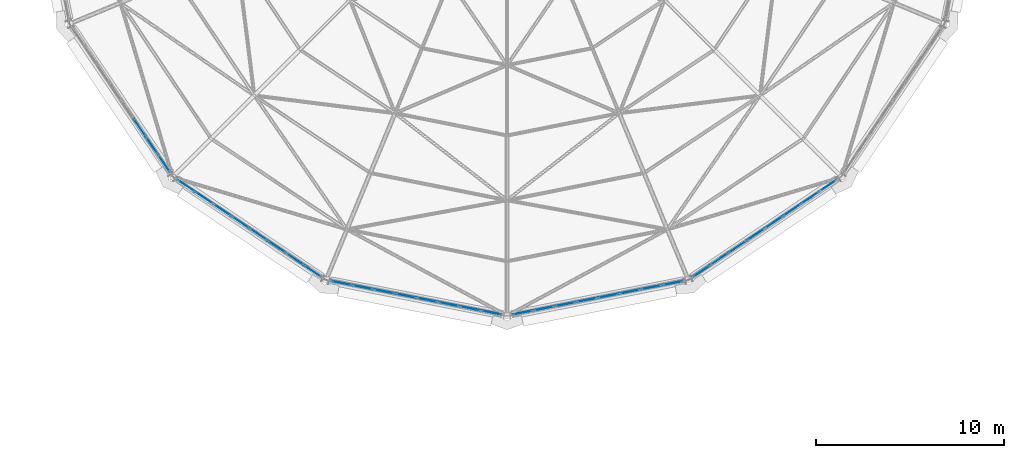
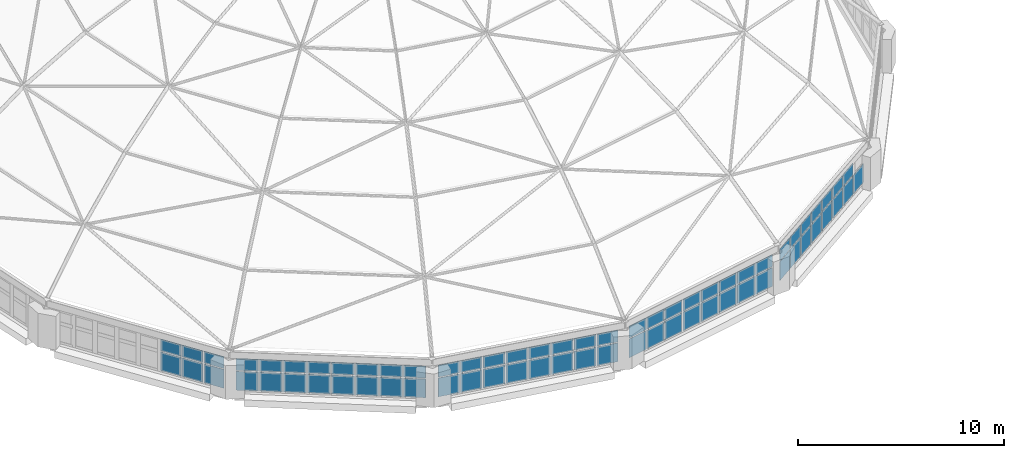
# One storey, part 40 of 68: 69 plates, 5 elements without a shape of their own.
"""IFC4 building model written with IfcOpenShell, lengths in metres."""

from ifc_helpers import new_model, si_unit, direction, frame, origin, origin_2d, place, context, subcontext, project, spatial, rectangle, extrude, material, layer, layer_set, type_object, element, aggregate, save


model = new_model("IFC4")

# Units and contexts
model_context = context("Model", 3, precision=1e-05, world=origin(), true_north=direction((0.0, 1.0)))
body_context = subcontext(model_context, "Body", "Model", "MODEL_VIEW")
ifc_project = project(units=[si_unit("LENGTHUNIT", "METRE"), si_unit("AREAUNIT", "SQUARE_METRE"), si_unit("VOLUMEUNIT", "CUBIC_METRE"), si_unit("PLANEANGLEUNIT", "RADIAN"), si_unit("MASSUNIT", "GRAM", prefix="KILO")], contexts=[model_context])

# Site, building, storey
site_placement = place(None, origin())
site = spatial("IfcSite", under=ifc_project, at=site_placement, CompositionType="ELEMENT")
building_placement = place(site_placement, origin())
building = spatial("IfcBuilding", under=site, at=building_placement, Name="Kupolbacken Congress Centre", CompositionType="ELEMENT")
storey_placement = place(building_placement, frame((0.0, 0.0, 25.199951171875)))
storey = spatial("IfcBuildingStorey", under=building, at=storey_placement, Name="L07", CompositionType="ELEMENT", Elevation=25.199951171875)

# Curtain wall, plates
ifc_material_1 = material(Name="Aluminium mullion-transom frame with glass", Category="aluminium")
curtain_wall_type = type_object("IfcCurtainWallType", Name="CW3 curtain wall 9830x3600", PredefinedType="NOTDEFINED", material=ifc_material_1)
curtain_wall_1_placement = place(storey_placement, origin())
curtain_wall_1 = element("IfcCurtainWall", 1, at=curtain_wall_1_placement, inside=storey, type_object=curtain_wall_type, Name="E/P/drum/cw/L07/01", PredefinedType="NOTDEFINED")
ifc_material_2 = material(Name="Glass", Category="glass")
ifc_layer = layer(ifc_material_2, 0.028076171875)
ifc_layer_set = layer_set([ifc_layer], Name="Glass")
plate_type = type_object("IfcPlateType", Name="GL1 glass panel 28", PredefinedType="CURTAIN_PANEL", material=ifc_layer_set)
plate_1_placement = place(storey_placement, frame((23.62890625, 71.224609375, 0.4599609375), z_axis=(0.0, 0.0, 1.0), x_axis=(0.559385512775, -0.82890762338, 0.0)))
plate_1 = element("IfcPlate", 2, at=plate_1_placement, type_object=plate_type, Name="CW3 panel 6.1", PredefinedType="CURTAIN_PANEL", context=body_context, shape_type="SweptSolid", body=[
    extrude(rectangle(XDim=1.1064453125, YDim=0.028076171875, at=origin_2d()), origin(), (0.0, 0.0, 1.0), 1.110107421875),
])
plate_2_placement = place(storey_placement, frame((23.62890625, 71.224609375, 1.6298828125), z_axis=(0.0, 0.0, 1.0), x_axis=(0.559385512775, -0.82890762338, 0.0)))
plate_2 = element("IfcPlate", 3, at=plate_2_placement, type_object=plate_type, Name="CW3 panel 6.2", PredefinedType="CURTAIN_PANEL", context=body_context, shape_type="SweptSolid", body=[
    extrude(rectangle(XDim=1.1064453125, YDim=0.028076171875, at=origin_2d()), origin(), (0.0, 0.0, 1.0), 0.699951171875),
])
plate_3_placement = place(storey_placement, frame((24.28125, 70.257568359375, 0.4599609375), z_axis=(0.0, 0.0, 1.0), x_axis=(0.559385512775, -0.82890762338, 0.0)))
plate_3 = element("IfcPlate", 4, at=plate_3_placement, type_object=plate_type, Name="CW3 panel 7.1", PredefinedType="CURTAIN_PANEL", context=body_context, shape_type="SweptSolid", body=[
    extrude(rectangle(XDim=1.1064453125, YDim=0.028076171875, at=origin_2d()), origin(), (0.0, 0.0, 1.0), 1.110107421875),
])
plate_4_placement = place(storey_placement, frame((24.28125, 70.257568359375, 1.6298828125), z_axis=(0.0, 0.0, 1.0), x_axis=(0.559385512775, -0.82890762338, 0.0)))
plate_4 = element("IfcPlate", 5, at=plate_4_placement, type_object=plate_type, Name="CW3 panel 7.2", PredefinedType="CURTAIN_PANEL", context=body_context, shape_type="SweptSolid", body=[
    extrude(rectangle(XDim=1.1064453125, YDim=0.028076171875, at=origin_2d()), origin(), (0.0, 0.0, 1.0), 0.699951171875),
])
plate_5_placement = place(storey_placement, frame((24.925537109375, 69.30322265625, 0.4599609375), z_axis=(0.0, 0.0, 1.0), x_axis=(0.559385512775, -0.82890762338, 0.0)))
plate_5 = element("IfcPlate", 6, at=plate_5_placement, type_object=plate_type, Name="CW3 panel 8.1", PredefinedType="CURTAIN_PANEL", context=body_context, shape_type="SweptSolid", body=[
    extrude(rectangle(XDim=1.076416015625, YDim=0.028076171875, at=origin_2d()), origin(), (0.0, 0.0, 1.0), 1.110107421875),
])
plate_6_placement = place(storey_placement, frame((24.925537109375, 69.30322265625, 1.6298828125), z_axis=(0.0, 0.0, 1.0), x_axis=(0.559385512775, -0.82890762338, 0.0)))
plate_6 = element("IfcPlate", 7, at=plate_6_placement, type_object=plate_type, Name="CW3 panel 8.2", PredefinedType="CURTAIN_PANEL", context=body_context, shape_type="SweptSolid", body=[
    extrude(rectangle(XDim=1.076416015625, YDim=0.028076171875, at=origin_2d()), origin(), (0.0, 0.0, 1.0), 0.699951171875),
])
aggregate(curtain_wall_1, [plate_1, plate_2, plate_3, plate_4, plate_5, plate_6])

curtain_wall_2_placement = place(storey_placement, origin())
curtain_wall_2 = element("IfcCurtainWall", 8, at=curtain_wall_2_placement, inside=storey, type_object=curtain_wall_type, Name="E/P/drum/cw/L07/02", PredefinedType="NOTDEFINED")
plate_7_placement = place(storey_placement, frame((26.10302734375, 68.12548828125, 0.4599609375), z_axis=(0.0, 0.0, 1.0), x_axis=(0.82890762338, -0.559385512775, 0.0)))
plate_7 = element("IfcPlate", 9, at=plate_7_placement, type_object=plate_type, Name="CW3 panel 1.1", PredefinedType="CURTAIN_PANEL", context=body_context, shape_type="SweptSolid", body=[
    extrude(rectangle(XDim=1.076416015625, YDim=0.028076171875, at=origin_2d()), origin(), (0.0, 0.0, 1.0), 1.110107421875),
])
plate_8_placement = place(storey_placement, frame((26.10302734375, 68.12548828125, 1.6298828125), z_axis=(0.0, 0.0, 1.0), x_axis=(0.82890762338, -0.559385512775, 0.0)))
plate_8 = element("IfcPlate", 10, at=plate_8_placement, type_object=plate_type, Name="CW3 panel 1.2", PredefinedType="CURTAIN_PANEL", context=body_context, shape_type="SweptSolid", body=[
    extrude(rectangle(XDim=1.076416015625, YDim=0.028076171875, at=origin_2d()), origin(), (0.0, 0.0, 1.0), 0.699951171875),
])
plate_9_placement = place(storey_placement, frame((27.0576171875, 67.4814453125, 0.4599609375), z_axis=(0.0, 0.0, 1.0), x_axis=(0.82890762338, -0.559385512775, 0.0)))
plate_9 = element("IfcPlate", 11, at=plate_9_placement, type_object=plate_type, Name="CW3 panel 2.1", PredefinedType="CURTAIN_PANEL", context=body_context, shape_type="SweptSolid", body=[
    extrude(rectangle(XDim=1.1064453125, YDim=0.028076171875, at=origin_2d()), origin(), (0.0, 0.0, 1.0), 1.110107421875),
])
plate_10_placement = place(storey_placement, frame((27.0576171875, 67.4814453125, 1.6298828125), z_axis=(0.0, 0.0, 1.0), x_axis=(0.82890762338, -0.559385512775, 0.0)))
plate_10 = element("IfcPlate", 12, at=plate_10_placement, type_object=plate_type, Name="CW3 panel 2.2", PredefinedType="CURTAIN_PANEL", context=body_context, shape_type="SweptSolid", body=[
    extrude(rectangle(XDim=1.1064453125, YDim=0.028076171875, at=origin_2d()), origin(), (0.0, 0.0, 1.0), 0.699951171875),
])
plate_11_placement = place(storey_placement, frame((28.024658203125, 66.828857421875, 0.4599609375), z_axis=(0.0, 0.0, 1.0), x_axis=(0.82890762338, -0.559385512775, 0.0)))
plate_11 = element("IfcPlate", 13, at=plate_11_placement, type_object=plate_type, Name="CW3 panel 3.1", PredefinedType="CURTAIN_PANEL", context=body_context, shape_type="SweptSolid", body=[
    extrude(rectangle(XDim=1.1064453125, YDim=0.028076171875, at=origin_2d()), origin(), (0.0, 0.0, 1.0), 1.110107421875),
])
plate_12_placement = place(storey_placement, frame((28.024658203125, 66.828857421875, 1.6298828125), z_axis=(0.0, 0.0, 1.0), x_axis=(0.82890762338, -0.559385512775, 0.0)))
plate_12 = element("IfcPlate", 14, at=plate_12_placement, type_object=plate_type, Name="CW3 panel 3.2", PredefinedType="CURTAIN_PANEL", context=body_context, shape_type="SweptSolid", body=[
    extrude(rectangle(XDim=1.1064453125, YDim=0.028076171875, at=origin_2d()), origin(), (0.0, 0.0, 1.0), 0.699951171875),
])
plate_13_placement = place(storey_placement, frame((28.991455078125, 66.17626953125, 0.4599609375), z_axis=(0.0, 0.0, 1.0), x_axis=(0.82890762338, -0.559385512775, 0.0)))
plate_13 = element("IfcPlate", 15, at=plate_13_placement, type_object=plate_type, Name="CW3 panel 4.1", PredefinedType="CURTAIN_PANEL", context=body_context, shape_type="SweptSolid", body=[
    extrude(rectangle(XDim=1.1064453125, YDim=0.028076171875, at=origin_2d()), origin(), (0.0, 0.0, 1.0), 1.110107421875),
])
plate_14_placement = place(storey_placement, frame((28.991455078125, 66.17626953125, 1.6298828125), z_axis=(0.0, 0.0, 1.0), x_axis=(0.82890762338, -0.559385512775, 0.0)))
plate_14 = element("IfcPlate", 16, at=plate_14_placement, type_object=plate_type, Name="CW3 panel 4.2", PredefinedType="CURTAIN_PANEL", context=body_context, shape_type="SweptSolid", body=[
    extrude(rectangle(XDim=1.1064453125, YDim=0.028076171875, at=origin_2d()), origin(), (0.0, 0.0, 1.0), 0.699951171875),
])
plate_15_placement = place(storey_placement, frame((29.95849609375, 65.523681640625, 0.4599609375), z_axis=(0.0, 0.0, 1.0), x_axis=(0.82890762338, -0.559385512775, 0.0)))
plate_15 = element("IfcPlate", 17, at=plate_15_placement, type_object=plate_type, Name="CW3 panel 5.1", PredefinedType="CURTAIN_PANEL", context=body_context, shape_type="SweptSolid", body=[
    extrude(rectangle(XDim=1.1064453125, YDim=0.028076171875, at=origin_2d()), origin(), (0.0, 0.0, 1.0), 1.110107421875),
])
plate_16_placement = place(storey_placement, frame((29.95849609375, 65.523681640625, 1.6298828125), z_axis=(0.0, 0.0, 1.0), x_axis=(0.82890762338, -0.559385512775, 0.0)))
plate_16 = element("IfcPlate", 18, at=plate_16_placement, type_object=plate_type, Name="CW3 panel 5.2", PredefinedType="CURTAIN_PANEL", context=body_context, shape_type="SweptSolid", body=[
    extrude(rectangle(XDim=1.1064453125, YDim=0.028076171875, at=origin_2d()), origin(), (0.0, 0.0, 1.0), 0.699951171875),
])
plate_17_placement = place(storey_placement, frame((30.92529296875, 64.87109375, 0.4599609375), z_axis=(0.0, 0.0, 1.0), x_axis=(0.82890762338, -0.559385512775, 0.0)))
plate_17 = element("IfcPlate", 19, at=plate_17_placement, type_object=plate_type, Name="CW3 panel 6.1", PredefinedType="CURTAIN_PANEL", context=body_context, shape_type="SweptSolid", body=[
    extrude(rectangle(XDim=1.1064453125, YDim=0.028076171875, at=origin_2d()), origin(), (0.0, 0.0, 1.0), 1.110107421875),
])
plate_18_placement = place(storey_placement, frame((30.92529296875, 64.87109375, 1.6298828125), z_axis=(0.0, 0.0, 1.0), x_axis=(0.82890762338, -0.559385512775, 0.0)))
plate_18 = element("IfcPlate", 20, at=plate_18_placement, type_object=plate_type, Name="CW3 panel 6.2", PredefinedType="CURTAIN_PANEL", context=body_context, shape_type="SweptSolid", body=[
    extrude(rectangle(XDim=1.1064453125, YDim=0.028076171875, at=origin_2d()), origin(), (0.0, 0.0, 1.0), 0.699951171875),
])
plate_19_placement = place(storey_placement, frame((31.892333984375, 64.21875, 0.4599609375), z_axis=(0.0, 0.0, 1.0), x_axis=(0.82890762338, -0.559385512775, 0.0)))
plate_19 = element("IfcPlate", 21, at=plate_19_placement, type_object=plate_type, Name="CW3 panel 7.1", PredefinedType="CURTAIN_PANEL", context=body_context, shape_type="SweptSolid", body=[
    extrude(rectangle(XDim=1.1064453125, YDim=0.028076171875, at=origin_2d()), origin(), (0.0, 0.0, 1.0), 1.110107421875),
])
plate_20_placement = place(storey_placement, frame((31.892333984375, 64.21875, 1.6298828125), z_axis=(0.0, 0.0, 1.0), x_axis=(0.82890762338, -0.559385512775, 0.0)))
plate_20 = element("IfcPlate", 22, at=plate_20_placement, type_object=plate_type, Name="CW3 panel 7.2", PredefinedType="CURTAIN_PANEL", context=body_context, shape_type="SweptSolid", body=[
    extrude(rectangle(XDim=1.1064453125, YDim=0.028076171875, at=origin_2d()), origin(), (0.0, 0.0, 1.0), 0.699951171875),
])
plate_21_placement = place(storey_placement, frame((32.846923828125, 63.574462890625, 0.4599609375), z_axis=(0.0, 0.0, 1.0), x_axis=(0.82890762338, -0.559385512775, 0.0)))
plate_21 = element("IfcPlate", 23, at=plate_21_placement, type_object=plate_type, Name="CW3 panel 8.1", PredefinedType="CURTAIN_PANEL", context=body_context, shape_type="SweptSolid", body=[
    extrude(rectangle(XDim=1.076416015625, YDim=0.028076171875, at=origin_2d()), origin(), (0.0, 0.0, 1.0), 1.110107421875),
])
plate_22_placement = place(storey_placement, frame((32.846923828125, 63.574462890625, 1.6298828125), z_axis=(0.0, 0.0, 1.0), x_axis=(0.82890762338, -0.559385512775, 0.0)))
plate_22 = element("IfcPlate", 24, at=plate_22_placement, type_object=plate_type, Name="CW3 panel 8.2", PredefinedType="CURTAIN_PANEL", context=body_context, shape_type="SweptSolid", body=[
    extrude(rectangle(XDim=1.076416015625, YDim=0.028076171875, at=origin_2d()), origin(), (0.0, 0.0, 1.0), 0.699951171875),
])
aggregate(curtain_wall_2, [plate_7, plate_8, plate_9, plate_10, plate_11, plate_12, plate_13, plate_14, plate_15, plate_16, plate_17, plate_18, plate_19, plate_20, plate_21, plate_22])

curtain_wall_3_placement = place(storey_placement, origin())
curtain_wall_3 = element("IfcCurtainWall", 25, at=curtain_wall_3_placement, inside=storey, type_object=curtain_wall_type, Name="E/P/drum/cw/L07/03", PredefinedType="NOTDEFINED")
plate_23_placement = place(storey_placement, frame((34.382568359375, 62.93603515625, 0.4599609375), z_axis=(0.0, 0.0, 1.0), x_axis=(0.981162875481, -0.193182327812, 0.0)))
plate_23 = element("IfcPlate", 26, at=plate_23_placement, type_object=plate_type, Name="CW3 panel 1.1", PredefinedType="CURTAIN_PANEL", context=body_context, shape_type="SweptSolid", body=[
    extrude(rectangle(XDim=1.076904296875, YDim=0.028076171875, at=origin_2d()), origin(), (0.0, 0.0, 1.0), 1.110107421875),
])
plate_24_placement = place(storey_placement, frame((34.382568359375, 62.93603515625, 1.6298828125), z_axis=(0.0, 0.0, 1.0), x_axis=(0.981162875481, -0.193182327812, 0.0)))
plate_24 = element("IfcPlate", 27, at=plate_24_placement, type_object=plate_type, Name="CW3 panel 1.2", PredefinedType="CURTAIN_PANEL", context=body_context, shape_type="SweptSolid", body=[
    extrude(rectangle(XDim=1.076904296875, YDim=0.028076171875, at=origin_2d()), origin(), (0.0, 0.0, 1.0), 0.699951171875),
])
plate_25_placement = place(storey_placement, frame((35.5126953125, 62.713623046875, 0.4599609375), z_axis=(0.0, 0.0, 1.0), x_axis=(0.981162875481, -0.193182327812, 0.0)))
plate_25 = element("IfcPlate", 28, at=plate_25_placement, type_object=plate_type, Name="CW3 panel 2.1", PredefinedType="CURTAIN_PANEL", context=body_context, shape_type="SweptSolid", body=[
    extrude(rectangle(XDim=1.10693359375, YDim=0.028076171875, at=origin_2d()), origin(), (0.0, 0.0, 1.0), 1.110107421875),
])
plate_26_placement = place(storey_placement, frame((35.5126953125, 62.713623046875, 1.6298828125), z_axis=(0.0, 0.0, 1.0), x_axis=(0.981162875481, -0.193182327812, 0.0)))
plate_26 = element("IfcPlate", 29, at=plate_26_placement, type_object=plate_type, Name="CW3 panel 2.2", PredefinedType="CURTAIN_PANEL", context=body_context, shape_type="SweptSolid", body=[
    extrude(rectangle(XDim=1.10693359375, YDim=0.028076171875, at=origin_2d()), origin(), (0.0, 0.0, 1.0), 0.699951171875),
])
plate_27_placement = place(storey_placement, frame((36.65771484375, 62.488037109375, 0.4599609375), z_axis=(0.0, 0.0, 1.0), x_axis=(0.981162875481, -0.193182327812, 0.0)))
plate_27 = element("IfcPlate", 30, at=plate_27_placement, type_object=plate_type, Name="CW3 panel 3.1", PredefinedType="CURTAIN_PANEL", context=body_context, shape_type="SweptSolid", body=[
    extrude(rectangle(XDim=1.10693359375, YDim=0.028076171875, at=origin_2d()), origin(), (0.0, 0.0, 1.0), 1.110107421875),
])
plate_28_placement = place(storey_placement, frame((36.65771484375, 62.488037109375, 1.6298828125), z_axis=(0.0, 0.0, 1.0), x_axis=(0.981162875481, -0.193182327812, 0.0)))
plate_28 = element("IfcPlate", 31, at=plate_28_placement, type_object=plate_type, Name="CW3 panel 3.2", PredefinedType="CURTAIN_PANEL", context=body_context, shape_type="SweptSolid", body=[
    extrude(rectangle(XDim=1.10693359375, YDim=0.028076171875, at=origin_2d()), origin(), (0.0, 0.0, 1.0), 0.699951171875),
])
plate_29_placement = place(storey_placement, frame((37.802490234375, 62.2626953125, 0.4599609375), z_axis=(0.0, 0.0, 1.0), x_axis=(0.981162875481, -0.193182327812, 0.0)))
plate_29 = element("IfcPlate", 32, at=plate_29_placement, type_object=plate_type, Name="CW3 panel 4.1", PredefinedType="CURTAIN_PANEL", context=body_context, shape_type="SweptSolid", body=[
    extrude(rectangle(XDim=1.10693359375, YDim=0.028076171875, at=origin_2d()), origin(), (0.0, 0.0, 1.0), 1.110107421875),
])
plate_30_placement = place(storey_placement, frame((37.802490234375, 62.2626953125, 1.6298828125), z_axis=(0.0, 0.0, 1.0), x_axis=(0.981162875481, -0.193182327812, 0.0)))
plate_30 = element("IfcPlate", 33, at=plate_30_placement, type_object=plate_type, Name="CW3 panel 4.2", PredefinedType="CURTAIN_PANEL", context=body_context, shape_type="SweptSolid", body=[
    extrude(rectangle(XDim=1.10693359375, YDim=0.028076171875, at=origin_2d()), origin(), (0.0, 0.0, 1.0), 0.699951171875),
])
plate_31_placement = place(storey_placement, frame((38.947509765625, 62.037353515625, 0.4599609375), z_axis=(0.0, 0.0, 1.0), x_axis=(0.981162875481, -0.193182327812, 0.0)))
plate_31 = element("IfcPlate", 34, at=plate_31_placement, type_object=plate_type, Name="CW3 panel 5.1", PredefinedType="CURTAIN_PANEL", context=body_context, shape_type="SweptSolid", body=[
    extrude(rectangle(XDim=1.10693359375, YDim=0.028076171875, at=origin_2d()), origin(), (0.0, 0.0, 1.0), 1.110107421875),
])
plate_32_placement = place(storey_placement, frame((38.947509765625, 62.037353515625, 1.6298828125), z_axis=(0.0, 0.0, 1.0), x_axis=(0.981162875481, -0.193182327812, 0.0)))
plate_32 = element("IfcPlate", 35, at=plate_32_placement, type_object=plate_type, Name="CW3 panel 5.2", PredefinedType="CURTAIN_PANEL", context=body_context, shape_type="SweptSolid", body=[
    extrude(rectangle(XDim=1.10693359375, YDim=0.028076171875, at=origin_2d()), origin(), (0.0, 0.0, 1.0), 0.699951171875),
])
plate_33_placement = place(storey_placement, frame((40.09228515625, 61.811767578125, 0.4599609375), z_axis=(0.0, 0.0, 1.0), x_axis=(0.981162875481, -0.193182327812, 0.0)))
plate_33 = element("IfcPlate", 36, at=plate_33_placement, type_object=plate_type, Name="CW3 panel 6.1", PredefinedType="CURTAIN_PANEL", context=body_context, shape_type="SweptSolid", body=[
    extrude(rectangle(XDim=1.10693359375, YDim=0.028076171875, at=origin_2d()), origin(), (0.0, 0.0, 1.0), 1.110107421875),
])
plate_34_placement = place(storey_placement, frame((40.09228515625, 61.811767578125, 1.6298828125), z_axis=(0.0, 0.0, 1.0), x_axis=(0.981162875481, -0.193182327812, 0.0)))
plate_34 = element("IfcPlate", 37, at=plate_34_placement, type_object=plate_type, Name="CW3 panel 6.2", PredefinedType="CURTAIN_PANEL", context=body_context, shape_type="SweptSolid", body=[
    extrude(rectangle(XDim=1.10693359375, YDim=0.028076171875, at=origin_2d()), origin(), (0.0, 0.0, 1.0), 0.699951171875),
])
plate_35_placement = place(storey_placement, frame((41.2373046875, 61.58642578125, 0.4599609375), z_axis=(0.0, 0.0, 1.0), x_axis=(0.981162875481, -0.193182327812, 0.0)))
plate_35 = element("IfcPlate", 38, at=plate_35_placement, type_object=plate_type, Name="CW3 panel 7.1", PredefinedType="CURTAIN_PANEL", context=body_context, shape_type="SweptSolid", body=[
    extrude(rectangle(XDim=1.10693359375, YDim=0.028076171875, at=origin_2d()), origin(), (0.0, 0.0, 1.0), 1.110107421875),
])
plate_36_placement = place(storey_placement, frame((41.2373046875, 61.58642578125, 1.6298828125), z_axis=(0.0, 0.0, 1.0), x_axis=(0.981162875481, -0.193182327812, 0.0)))
plate_36 = element("IfcPlate", 39, at=plate_36_placement, type_object=plate_type, Name="CW3 panel 7.2", PredefinedType="CURTAIN_PANEL", context=body_context, shape_type="SweptSolid", body=[
    extrude(rectangle(XDim=1.10693359375, YDim=0.028076171875, at=origin_2d()), origin(), (0.0, 0.0, 1.0), 0.699951171875),
])
plate_37_placement = place(storey_placement, frame((42.367431640625, 61.364013671875, 0.4599609375), z_axis=(0.0, 0.0, 1.0), x_axis=(0.981162875481, -0.193182327812, 0.0)))
plate_37 = element("IfcPlate", 40, at=plate_37_placement, type_object=plate_type, Name="CW3 panel 8.1", PredefinedType="CURTAIN_PANEL", context=body_context, shape_type="SweptSolid", body=[
    extrude(rectangle(XDim=1.076904296875, YDim=0.028076171875, at=origin_2d()), origin(), (0.0, 0.0, 1.0), 1.110107421875),
])
plate_38_placement = place(storey_placement, frame((42.367431640625, 61.364013671875, 1.6298828125), z_axis=(0.0, 0.0, 1.0), x_axis=(0.981162875481, -0.193182327812, 0.0)))
plate_38 = element("IfcPlate", 41, at=plate_38_placement, type_object=plate_type, Name="CW3 panel 8.2", PredefinedType="CURTAIN_PANEL", context=body_context, shape_type="SweptSolid", body=[
    extrude(rectangle(XDim=1.076904296875, YDim=0.028076171875, at=origin_2d()), origin(), (0.0, 0.0, 1.0), 0.699951171875),
])
aggregate(curtain_wall_3, [plate_23, plate_24, plate_25, plate_26, plate_27, plate_28, plate_29, plate_30, plate_31, plate_32, plate_33, plate_34, plate_35, plate_36, plate_37, plate_38])

curtain_wall_4_placement = place(storey_placement, origin())
curtain_wall_4 = element("IfcCurtainWall", 42, at=curtain_wall_4_placement, inside=storey, type_object=curtain_wall_type, Name="E/P/drum/cw/L07/04", PredefinedType="NOTDEFINED")
plate_39_placement = place(storey_placement, frame((44.032470703125, 61.364013671875, 0.4599609375), z_axis=(0.0, 0.0, 1.0), x_axis=(0.981162875481, 0.193182327812, 0.0)))
plate_39 = element("IfcPlate", 43, at=plate_39_placement, type_object=plate_type, Name="CW3 panel 1.1", PredefinedType="CURTAIN_PANEL", context=body_context, shape_type="SweptSolid", body=[
    extrude(rectangle(XDim=1.076904296875, YDim=0.028076171875, at=origin_2d()), origin(), (0.0, 0.0, 1.0), 1.110107421875),
])
plate_40_placement = place(storey_placement, frame((44.032470703125, 61.364013671875, 1.6298828125), z_axis=(0.0, 0.0, 1.0), x_axis=(0.981162875481, 0.193182327812, 0.0)))
plate_40 = element("IfcPlate", 44, at=plate_40_placement, type_object=plate_type, Name="CW3 panel 1.2", PredefinedType="CURTAIN_PANEL", context=body_context, shape_type="SweptSolid", body=[
    extrude(rectangle(XDim=1.076904296875, YDim=0.028076171875, at=origin_2d()), origin(), (0.0, 0.0, 1.0), 0.699951171875),
])
plate_41_placement = place(storey_placement, frame((45.16259765625, 61.58642578125, 0.4599609375), z_axis=(0.0, 0.0, 1.0), x_axis=(0.981162875481, 0.193182327812, 0.0)))
plate_41 = element("IfcPlate", 45, at=plate_41_placement, type_object=plate_type, Name="CW3 panel 2.1", PredefinedType="CURTAIN_PANEL", context=body_context, shape_type="SweptSolid", body=[
    extrude(rectangle(XDim=1.10693359375, YDim=0.028076171875, at=origin_2d()), origin(), (0.0, 0.0, 1.0), 1.110107421875),
])
plate_42_placement = place(storey_placement, frame((45.16259765625, 61.58642578125, 1.6298828125), z_axis=(0.0, 0.0, 1.0), x_axis=(0.981162875481, 0.193182327812, 0.0)))
plate_42 = element("IfcPlate", 46, at=plate_42_placement, type_object=plate_type, Name="CW3 panel 2.2", PredefinedType="CURTAIN_PANEL", context=body_context, shape_type="SweptSolid", body=[
    extrude(rectangle(XDim=1.10693359375, YDim=0.028076171875, at=origin_2d()), origin(), (0.0, 0.0, 1.0), 0.699951171875),
])
plate_43_placement = place(storey_placement, frame((46.3076171875, 61.811767578125, 0.4599609375), z_axis=(0.0, 0.0, 1.0), x_axis=(0.981162875481, 0.193182327812, 0.0)))
plate_43 = element("IfcPlate", 47, at=plate_43_placement, type_object=plate_type, Name="CW3 panel 3.1", PredefinedType="CURTAIN_PANEL", context=body_context, shape_type="SweptSolid", body=[
    extrude(rectangle(XDim=1.10693359375, YDim=0.028076171875, at=origin_2d()), origin(), (0.0, 0.0, 1.0), 1.110107421875),
])
plate_44_placement = place(storey_placement, frame((46.3076171875, 61.811767578125, 1.6298828125), z_axis=(0.0, 0.0, 1.0), x_axis=(0.981162875481, 0.193182327812, 0.0)))
plate_44 = element("IfcPlate", 48, at=plate_44_placement, type_object=plate_type, Name="CW3 panel 3.2", PredefinedType="CURTAIN_PANEL", context=body_context, shape_type="SweptSolid", body=[
    extrude(rectangle(XDim=1.10693359375, YDim=0.028076171875, at=origin_2d()), origin(), (0.0, 0.0, 1.0), 0.699951171875),
])
plate_45_placement = place(storey_placement, frame((47.45263671875, 62.037353515625, 0.4599609375), z_axis=(0.0, 0.0, 1.0), x_axis=(0.981162875481, 0.193182327812, 0.0)))
plate_45 = element("IfcPlate", 49, at=plate_45_placement, type_object=plate_type, Name="CW3 panel 4.1", PredefinedType="CURTAIN_PANEL", context=body_context, shape_type="SweptSolid", body=[
    extrude(rectangle(XDim=1.10693359375, YDim=0.028076171875, at=origin_2d()), origin(), (0.0, 0.0, 1.0), 1.110107421875),
])
plate_46_placement = place(storey_placement, frame((47.45263671875, 62.037353515625, 1.6298828125), z_axis=(0.0, 0.0, 1.0), x_axis=(0.981162875481, 0.193182327812, 0.0)))
plate_46 = element("IfcPlate", 50, at=plate_46_placement, type_object=plate_type, Name="CW3 panel 4.2", PredefinedType="CURTAIN_PANEL", context=body_context, shape_type="SweptSolid", body=[
    extrude(rectangle(XDim=1.10693359375, YDim=0.028076171875, at=origin_2d()), origin(), (0.0, 0.0, 1.0), 0.699951171875),
])
plate_47_placement = place(storey_placement, frame((48.597412109375, 62.2626953125, 0.4599609375), z_axis=(0.0, 0.0, 1.0), x_axis=(0.981162875481, 0.193182327812, 0.0)))
plate_47 = element("IfcPlate", 51, at=plate_47_placement, type_object=plate_type, Name="CW3 panel 5.1", PredefinedType="CURTAIN_PANEL", context=body_context, shape_type="SweptSolid", body=[
    extrude(rectangle(XDim=1.10693359375, YDim=0.028076171875, at=origin_2d()), origin(), (0.0, 0.0, 1.0), 1.110107421875),
])
plate_48_placement = place(storey_placement, frame((48.597412109375, 62.2626953125, 1.6298828125), z_axis=(0.0, 0.0, 1.0), x_axis=(0.981162875481, 0.193182327812, 0.0)))
plate_48 = element("IfcPlate", 52, at=plate_48_placement, type_object=plate_type, Name="CW3 panel 5.2", PredefinedType="CURTAIN_PANEL", context=body_context, shape_type="SweptSolid", body=[
    extrude(rectangle(XDim=1.10693359375, YDim=0.028076171875, at=origin_2d()), origin(), (0.0, 0.0, 1.0), 0.699951171875),
])
plate_49_placement = place(storey_placement, frame((49.742431640625, 62.488037109375, 0.4599609375), z_axis=(0.0, 0.0, 1.0), x_axis=(0.981162875481, 0.193182327812, 0.0)))
plate_49 = element("IfcPlate", 53, at=plate_49_placement, type_object=plate_type, Name="CW3 panel 6.1", PredefinedType="CURTAIN_PANEL", context=body_context, shape_type="SweptSolid", body=[
    extrude(rectangle(XDim=1.10693359375, YDim=0.028076171875, at=origin_2d()), origin(), (0.0, 0.0, 1.0), 1.110107421875),
])
plate_50_placement = place(storey_placement, frame((49.742431640625, 62.488037109375, 1.6298828125), z_axis=(0.0, 0.0, 1.0), x_axis=(0.981162875481, 0.193182327812, 0.0)))
plate_50 = element("IfcPlate", 54, at=plate_50_placement, type_object=plate_type, Name="CW3 panel 6.2", PredefinedType="CURTAIN_PANEL", context=body_context, shape_type="SweptSolid", body=[
    extrude(rectangle(XDim=1.10693359375, YDim=0.028076171875, at=origin_2d()), origin(), (0.0, 0.0, 1.0), 0.699951171875),
])
plate_51_placement = place(storey_placement, frame((50.88720703125, 62.713623046875, 0.4599609375), z_axis=(0.0, 0.0, 1.0), x_axis=(0.981162875481, 0.193182327812, 0.0)))
plate_51 = element("IfcPlate", 55, at=plate_51_placement, type_object=plate_type, Name="CW3 panel 7.1", PredefinedType="CURTAIN_PANEL", context=body_context, shape_type="SweptSolid", body=[
    extrude(rectangle(XDim=1.10693359375, YDim=0.028076171875, at=origin_2d()), origin(), (0.0, 0.0, 1.0), 1.110107421875),
])
plate_52_placement = place(storey_placement, frame((50.88720703125, 62.713623046875, 1.6298828125), z_axis=(0.0, 0.0, 1.0), x_axis=(0.981162875481, 0.193182327812, 0.0)))
plate_52 = element("IfcPlate", 56, at=plate_52_placement, type_object=plate_type, Name="CW3 panel 7.2", PredefinedType="CURTAIN_PANEL", context=body_context, shape_type="SweptSolid", body=[
    extrude(rectangle(XDim=1.10693359375, YDim=0.028076171875, at=origin_2d()), origin(), (0.0, 0.0, 1.0), 0.699951171875),
])
plate_53_placement = place(storey_placement, frame((52.017578125, 62.93603515625, 0.4599609375), z_axis=(0.0, 0.0, 1.0), x_axis=(0.981162875481, 0.193182327812, 0.0)))
plate_53 = element("IfcPlate", 57, at=plate_53_placement, type_object=plate_type, Name="CW3 panel 8.1", PredefinedType="CURTAIN_PANEL", context=body_context, shape_type="SweptSolid", body=[
    extrude(rectangle(XDim=1.076904296875, YDim=0.028076171875, at=origin_2d()), origin(), (0.0, 0.0, 1.0), 1.110107421875),
])
plate_54_placement = place(storey_placement, frame((52.017578125, 62.93603515625, 1.6298828125), z_axis=(0.0, 0.0, 1.0), x_axis=(0.981162875481, 0.193182327812, 0.0)))
plate_54 = element("IfcPlate", 58, at=plate_54_placement, type_object=plate_type, Name="CW3 panel 8.2", PredefinedType="CURTAIN_PANEL", context=body_context, shape_type="SweptSolid", body=[
    extrude(rectangle(XDim=1.076904296875, YDim=0.028076171875, at=origin_2d()), origin(), (0.0, 0.0, 1.0), 0.699951171875),
])
aggregate(curtain_wall_4, [plate_39, plate_40, plate_41, plate_42, plate_43, plate_44, plate_45, plate_46, plate_47, plate_48, plate_49, plate_50, plate_51, plate_52, plate_53, plate_54])

curtain_wall_5_placement = place(storey_placement, origin())
curtain_wall_5 = element("IfcCurtainWall", 59, at=curtain_wall_5_placement, inside=storey, type_object=curtain_wall_type, Name="E/P/drum/cw/L07/05", PredefinedType="NOTDEFINED")
plate_55_placement = place(storey_placement, frame((53.55322265625, 63.574462890625, 0.4599609375), z_axis=(0.0, 0.0, 1.0), x_axis=(0.82890762338, 0.559385512775, 0.0)))
plate_55 = element("IfcPlate", 60, at=plate_55_placement, type_object=plate_type, Name="CW3 panel 1.1", PredefinedType="CURTAIN_PANEL", context=body_context, shape_type="SweptSolid", body=[
    extrude(rectangle(XDim=1.076416015625, YDim=0.028076171875, at=origin_2d()), origin(), (0.0, 0.0, 1.0), 1.110107421875),
])
plate_56_placement = place(storey_placement, frame((53.55322265625, 63.574462890625, 1.6298828125), z_axis=(0.0, 0.0, 1.0), x_axis=(0.82890762338, 0.559385512775, 0.0)))
plate_56 = element("IfcPlate", 61, at=plate_56_placement, type_object=plate_type, Name="CW3 panel 1.2", PredefinedType="CURTAIN_PANEL", context=body_context, shape_type="SweptSolid", body=[
    extrude(rectangle(XDim=1.076416015625, YDim=0.028076171875, at=origin_2d()), origin(), (0.0, 0.0, 1.0), 0.699951171875),
])
plate_57_placement = place(storey_placement, frame((54.507568359375, 64.21875, 0.4599609375), z_axis=(0.0, 0.0, 1.0), x_axis=(0.82890762338, 0.559385512775, 0.0)))
plate_57 = element("IfcPlate", 62, at=plate_57_placement, type_object=plate_type, Name="CW3 panel 2.1", PredefinedType="CURTAIN_PANEL", context=body_context, shape_type="SweptSolid", body=[
    extrude(rectangle(XDim=1.1064453125, YDim=0.028076171875, at=origin_2d()), origin(), (0.0, 0.0, 1.0), 1.110107421875),
])
plate_58_placement = place(storey_placement, frame((54.507568359375, 64.21875, 1.6298828125), z_axis=(0.0, 0.0, 1.0), x_axis=(0.82890762338, 0.559385512775, 0.0)))
plate_58 = element("IfcPlate", 63, at=plate_58_placement, type_object=plate_type, Name="CW3 panel 2.2", PredefinedType="CURTAIN_PANEL", context=body_context, shape_type="SweptSolid", body=[
    extrude(rectangle(XDim=1.1064453125, YDim=0.028076171875, at=origin_2d()), origin(), (0.0, 0.0, 1.0), 0.699951171875),
])
plate_59_placement = place(storey_placement, frame((55.474609375, 64.87109375, 0.4599609375), z_axis=(0.0, 0.0, 1.0), x_axis=(0.82890762338, 0.559385512775, 0.0)))
plate_59 = element("IfcPlate", 64, at=plate_59_placement, type_object=plate_type, Name="CW3 panel 3.1", PredefinedType="CURTAIN_PANEL", context=body_context, shape_type="SweptSolid", body=[
    extrude(rectangle(XDim=1.1064453125, YDim=0.028076171875, at=origin_2d()), origin(), (0.0, 0.0, 1.0), 1.110107421875),
])
plate_60_placement = place(storey_placement, frame((55.474609375, 64.87109375, 1.6298828125), z_axis=(0.0, 0.0, 1.0), x_axis=(0.82890762338, 0.559385512775, 0.0)))
plate_60 = element("IfcPlate", 65, at=plate_60_placement, type_object=plate_type, Name="CW3 panel 3.2", PredefinedType="CURTAIN_PANEL", context=body_context, shape_type="SweptSolid", body=[
    extrude(rectangle(XDim=1.1064453125, YDim=0.028076171875, at=origin_2d()), origin(), (0.0, 0.0, 1.0), 0.699951171875),
])
plate_61_placement = place(storey_placement, frame((56.441650390625, 65.523681640625, 0.4599609375), z_axis=(0.0, 0.0, 1.0), x_axis=(0.82890762338, 0.559385512775, 0.0)))
plate_61 = element("IfcPlate", 66, at=plate_61_placement, type_object=plate_type, Name="CW3 panel 4.1", PredefinedType="CURTAIN_PANEL", context=body_context, shape_type="SweptSolid", body=[
    extrude(rectangle(XDim=1.1064453125, YDim=0.028076171875, at=origin_2d()), origin(), (0.0, 0.0, 1.0), 1.110107421875),
])
plate_62_placement = place(storey_placement, frame((56.441650390625, 65.523681640625, 1.6298828125), z_axis=(0.0, 0.0, 1.0), x_axis=(0.82890762338, 0.559385512775, 0.0)))
plate_62 = element("IfcPlate", 67, at=plate_62_placement, type_object=plate_type, Name="CW3 panel 4.2", PredefinedType="CURTAIN_PANEL", context=body_context, shape_type="SweptSolid", body=[
    extrude(rectangle(XDim=1.1064453125, YDim=0.028076171875, at=origin_2d()), origin(), (0.0, 0.0, 1.0), 0.699951171875),
])
plate_63_placement = place(storey_placement, frame((57.408447265625, 66.17626953125, 0.4599609375), z_axis=(0.0, 0.0, 1.0), x_axis=(0.82890762338, 0.559385512775, 0.0)))
plate_63 = element("IfcPlate", 68, at=plate_63_placement, type_object=plate_type, Name="CW3 panel 5.1", PredefinedType="CURTAIN_PANEL", context=body_context, shape_type="SweptSolid", body=[
    extrude(rectangle(XDim=1.1064453125, YDim=0.028076171875, at=origin_2d()), origin(), (0.0, 0.0, 1.0), 1.110107421875),
])
plate_64_placement = place(storey_placement, frame((57.408447265625, 66.17626953125, 1.6298828125), z_axis=(0.0, 0.0, 1.0), x_axis=(0.82890762338, 0.559385512775, 0.0)))
plate_64 = element("IfcPlate", 69, at=plate_64_placement, type_object=plate_type, Name="CW3 panel 5.2", PredefinedType="CURTAIN_PANEL", context=body_context, shape_type="SweptSolid", body=[
    extrude(rectangle(XDim=1.1064453125, YDim=0.028076171875, at=origin_2d()), origin(), (0.0, 0.0, 1.0), 0.699951171875),
])
plate_65_placement = place(storey_placement, frame((58.37548828125, 66.828857421875, 0.4599609375), z_axis=(0.0, 0.0, 1.0), x_axis=(0.82890762338, 0.559385512775, 0.0)))
plate_65 = element("IfcPlate", 70, at=plate_65_placement, type_object=plate_type, Name="CW3 panel 6.1", PredefinedType="CURTAIN_PANEL", context=body_context, shape_type="SweptSolid", body=[
    extrude(rectangle(XDim=1.1064453125, YDim=0.028076171875, at=origin_2d()), origin(), (0.0, 0.0, 1.0), 1.110107421875),
])
plate_66_placement = place(storey_placement, frame((58.37548828125, 66.828857421875, 1.6298828125), z_axis=(0.0, 0.0, 1.0), x_axis=(0.82890762338, 0.559385512775, 0.0)))
plate_66 = element("IfcPlate", 71, at=plate_66_placement, type_object=plate_type, Name="CW3 panel 6.2", PredefinedType="CURTAIN_PANEL", context=body_context, shape_type="SweptSolid", body=[
    extrude(rectangle(XDim=1.1064453125, YDim=0.028076171875, at=origin_2d()), origin(), (0.0, 0.0, 1.0), 0.699951171875),
])
plate_67_placement = place(storey_placement, frame((59.34228515625, 67.4814453125, 0.4599609375), z_axis=(0.0, 0.0, 1.0), x_axis=(0.82890762338, 0.559385512775, 0.0)))
plate_67 = element("IfcPlate", 72, at=plate_67_placement, type_object=plate_type, Name="CW3 panel 7.1", PredefinedType="CURTAIN_PANEL", context=body_context, shape_type="SweptSolid", body=[
    extrude(rectangle(XDim=1.1064453125, YDim=0.028076171875, at=origin_2d()), origin(), (0.0, 0.0, 1.0), 1.110107421875),
])
plate_68_placement = place(storey_placement, frame((59.34228515625, 67.4814453125, 1.6298828125), z_axis=(0.0, 0.0, 1.0), x_axis=(0.82890762338, 0.559385512775, 0.0)))
plate_68 = element("IfcPlate", 73, at=plate_68_placement, type_object=plate_type, Name="CW3 panel 7.2", PredefinedType="CURTAIN_PANEL", context=body_context, shape_type="SweptSolid", body=[
    extrude(rectangle(XDim=1.1064453125, YDim=0.028076171875, at=origin_2d()), origin(), (0.0, 0.0, 1.0), 0.699951171875),
])
plate_69_placement = place(storey_placement, frame((60.296875, 68.12548828125, 0.4599609375), z_axis=(0.0, 0.0, 1.0), x_axis=(0.82890762338, 0.559385512775, 0.0)))
plate_69 = element("IfcPlate", 74, at=plate_69_placement, type_object=plate_type, Name="CW3 panel 8.1", PredefinedType="CURTAIN_PANEL", context=body_context, shape_type="SweptSolid", body=[
    extrude(rectangle(XDim=1.076416015625, YDim=0.028076171875, at=origin_2d()), origin(), (0.0, 0.0, 1.0), 1.110107421875),
])
aggregate(curtain_wall_5, [plate_55, plate_56, plate_57, plate_58, plate_59, plate_60, plate_61, plate_62, plate_63, plate_64, plate_65, plate_66, plate_67, plate_68, plate_69])

save(model, "model.ifc")
